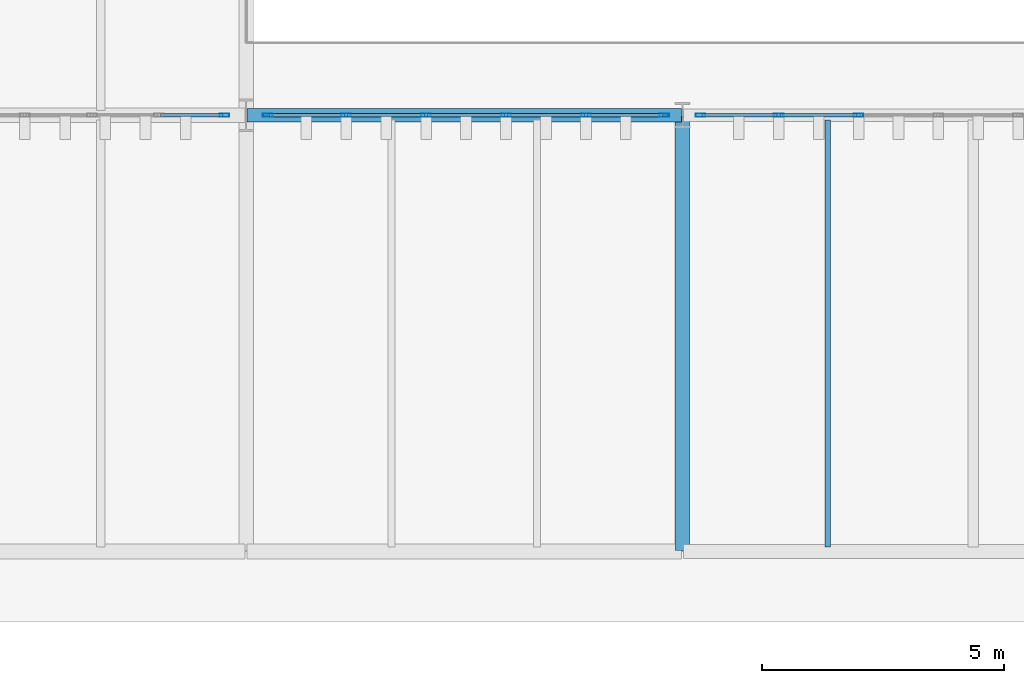
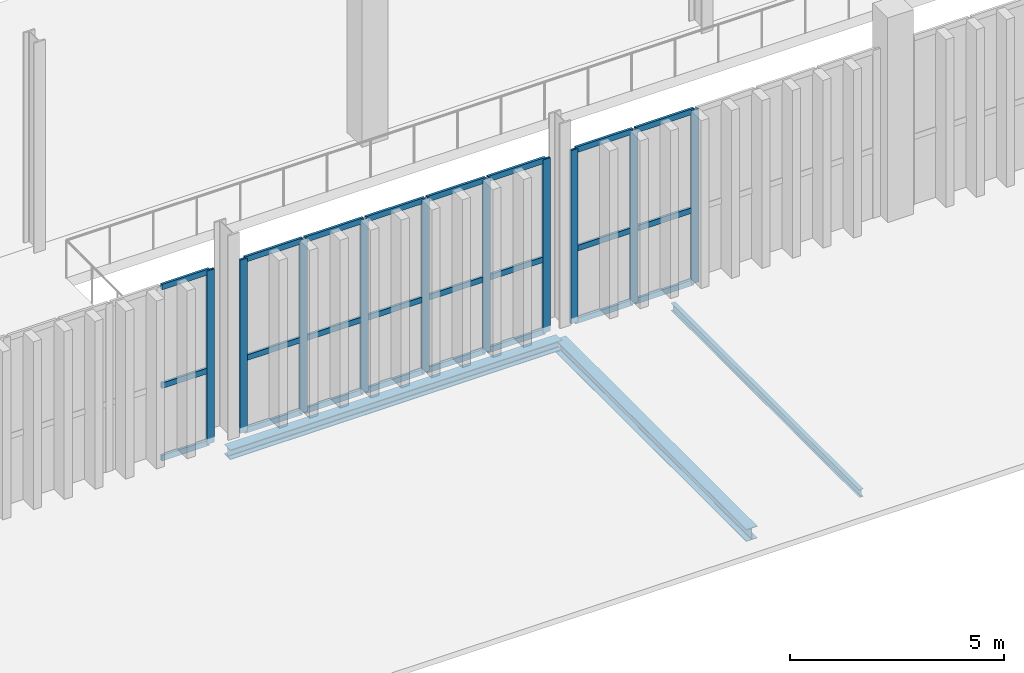
# One storey, part 64 of 211: 34 members, 3 beams, 3 elements without a shape of their own.
"""IFC4 building model written with IfcOpenShell, lengths in metres."""

from ifc_helpers import new_model, si_unit, direction, frame, origin, origin_2d, place, context, subcontext, project, spatial, hollow_rectangle, i_section, extrude, material, layer, layer_set, material_profile, profile_set, type_object, element, aggregate, save


model = new_model("IFC4")

# Units and contexts
model_context = context("Model", 3, precision=1e-05, world=origin(), true_north=direction((0.0, 1.0)))
body_context = subcontext(model_context, "Body", "Model", "MODEL_VIEW")
ifc_project = project(units=[si_unit("LENGTHUNIT", "METRE"), si_unit("AREAUNIT", "SQUARE_METRE"), si_unit("VOLUMEUNIT", "CUBIC_METRE"), si_unit("PLANEANGLEUNIT", "RADIAN"), si_unit("MASSUNIT", "GRAM", prefix="KILO")], contexts=[model_context])

# Site, building, storey
site_placement = place(None, origin())
site = spatial("IfcSite", under=ifc_project, at=site_placement, CompositionType="ELEMENT")
building_placement = place(site_placement, origin())
building = spatial("IfcBuilding", under=site, at=building_placement, Name="Barlavento Convention Centre", CompositionType="ELEMENT")
storey_placement = place(building_placement, frame((0.0, 0.0, 6.0)))
storey = spatial("IfcBuildingStorey", under=building, at=storey_placement, Name="L01", CompositionType="ELEMENT", Elevation=6.0)

# Curtain wall, member
ifc_material_1 = material(Name="Powder-coated aluminium and Low-E glass", Category="aluminium")
ifc_layer = layer(ifc_material_1, 0.195068359375)
ifc_layer_set = layer_set([ifc_layer], Name="ARC-CW-FOY-L01")
curtain_wall_type = type_object("IfcCurtainWallType", Name="ARC-CW-FOY-L01", PredefinedType="NOTDEFINED", material=ifc_layer_set)
curtain_wall_1_placement = place(storey_placement, origin())
curtain_wall_1 = element("IfcCurtainWall", 1, at=curtain_wall_1_placement, inside=storey, type_object=curtain_wall_type, Name="L01 unitised curtain wall CW03", PredefinedType="NOTDEFINED")
ifc_material_2 = material(Name="Powder-coated aluminium", Category="aluminium")
ifc_material_profile_1 = material_profile(ifc_material_2, hollow_rectangle(XDim=0.06494140625, YDim=0.199951171875, WallThickness=0.0048828125, at=origin_2d()), Name="AL-MULL 65x200x5")
ifc_profile_set_1 = profile_set([ifc_material_profile_1], Name="Powder-coated aluminium")
member_type_1 = type_object("IfcMemberType", Name="ARC-CWM-65X200", PredefinedType="MULLION", material=ifc_profile_set_1)
member_1_placement = place(storey_placement, frame((80.553466796875, 45.0, 0.0), z_axis=(0.0, 0.0, 1.0), x_axis=(0.0, 1.0, 0.0)))
member_1 = element("IfcMember", 2, at=member_1_placement, type_object=member_type_1, Name="CW03 mullion 7", PredefinedType="MULLION", context=body_context, shape_type="SweptSolid", body=[
    extrude(hollow_rectangle(XDim=0.06494140625, YDim=0.199951171875, WallThickness=0.0048828125, at=origin_2d()), origin(), (0.0, 0.0, 1.0), 4.949951171875),
])

# Curtain wall, members
curtain_wall_2_placement = place(storey_placement, origin())
curtain_wall_2 = element("IfcCurtainWall", 3, at=curtain_wall_2_placement, inside=storey, type_object=curtain_wall_type, Name="L01 unitised curtain wall CW03", PredefinedType="NOTDEFINED")
member_2_placement = place(storey_placement, frame((81.446533203125, 45.0, 0.0), z_axis=(0.0, 0.0, 1.0), x_axis=(0.0, 1.0, 0.0)))
member_2 = element("IfcMember", 4, at=member_2_placement, type_object=member_type_1, Name="CW03 mullion 1", PredefinedType="MULLION", context=body_context, shape_type="SweptSolid", body=[
    extrude(hollow_rectangle(XDim=0.06494140625, YDim=0.199951171875, WallThickness=0.0048828125, at=origin_2d()), origin(), (0.0, 0.0, 1.0), 4.949951171875),
])
member_3_placement = place(storey_placement, frame((83.062744140625, 45.0, 0.0), z_axis=(0.0, 0.0, 1.0), x_axis=(0.0, 1.0, 0.0)))
member_3 = element("IfcMember", 5, at=member_3_placement, type_object=member_type_1, Name="CW03 mullion 2", PredefinedType="MULLION", context=body_context, shape_type="SweptSolid", body=[
    extrude(hollow_rectangle(XDim=0.06494140625, YDim=0.199951171875, WallThickness=0.0048828125, at=origin_2d()), origin(), (0.0, 0.0, 1.0), 4.949951171875),
])
member_4_placement = place(storey_placement, frame((84.711669921875, 45.0, 0.0), z_axis=(0.0, 0.0, 1.0), x_axis=(0.0, 1.0, 0.0)))
member_4 = element("IfcMember", 6, at=member_4_placement, type_object=member_type_1, Name="CW03 mullion 3", PredefinedType="MULLION", context=body_context, shape_type="SweptSolid", body=[
    extrude(hollow_rectangle(XDim=0.06494140625, YDim=0.199951171875, WallThickness=0.0048828125, at=origin_2d()), origin(), (0.0, 0.0, 1.0), 4.949951171875),
])
member_5_placement = place(storey_placement, frame((86.3603515625, 45.0, 0.0), z_axis=(0.0, 0.0, 1.0), x_axis=(0.0, 1.0, 0.0)))
member_5 = element("IfcMember", 7, at=member_5_placement, type_object=member_type_1, Name="CW03 mullion 4", PredefinedType="MULLION", context=body_context, shape_type="SweptSolid", body=[
    extrude(hollow_rectangle(XDim=0.06494140625, YDim=0.199951171875, WallThickness=0.0048828125, at=origin_2d()), origin(), (0.0, 0.0, 1.0), 4.949951171875),
])
member_6_placement = place(storey_placement, frame((88.00927734375, 45.0, 0.0), z_axis=(0.0, 0.0, 1.0), x_axis=(0.0, 1.0, 0.0)))
member_6 = element("IfcMember", 8, at=member_6_placement, type_object=member_type_1, Name="CW03 mullion 5", PredefinedType="MULLION", context=body_context, shape_type="SweptSolid", body=[
    extrude(hollow_rectangle(XDim=0.06494140625, YDim=0.199951171875, WallThickness=0.0048828125, at=origin_2d()), origin(), (0.0, 0.0, 1.0), 4.949951171875),
])
member_7_placement = place(storey_placement, frame((89.62548828125, 45.0, 0.0), z_axis=(0.0, 0.0, 1.0), x_axis=(0.0, 1.0, 0.0)))
member_7 = element("IfcMember", 9, at=member_7_placement, type_object=member_type_1, Name="CW03 mullion 6", PredefinedType="MULLION", context=body_context, shape_type="SweptSolid", body=[
    extrude(hollow_rectangle(XDim=0.06494140625, YDim=0.199951171875, WallThickness=0.0048828125, at=origin_2d()), origin(), (0.0, 0.0, 1.0), 4.949951171875),
])

curtain_wall_3_placement = place(storey_placement, origin())
curtain_wall_3 = element("IfcCurtainWall", 10, at=curtain_wall_3_placement, inside=storey, type_object=curtain_wall_type, Name="L01 unitised curtain wall CW03", PredefinedType="NOTDEFINED")
member_8_placement = place(storey_placement, frame((90.37451171875, 45.0, 0.0), z_axis=(0.0, 0.0, 1.0), x_axis=(0.0, 1.0, 0.0)))
member_8 = element("IfcMember", 11, at=member_8_placement, type_object=member_type_1, Name="CW03 mullion 1", PredefinedType="MULLION", context=body_context, shape_type="SweptSolid", body=[
    extrude(hollow_rectangle(XDim=0.06494140625, YDim=0.199951171875, WallThickness=0.0048828125, at=origin_2d()), origin(), (0.0, 0.0, 1.0), 4.949951171875),
])
member_9_placement = place(storey_placement, frame((91.987548828125, 45.0, 0.0), z_axis=(0.0, 0.0, 1.0), x_axis=(0.0, 1.0, 0.0)))
member_9 = element("IfcMember", 12, at=member_9_placement, type_object=member_type_1, Name="CW03 mullion 2", PredefinedType="MULLION", context=body_context, shape_type="SweptSolid", body=[
    extrude(hollow_rectangle(XDim=0.06494140625, YDim=0.199951171875, WallThickness=0.0048828125, at=origin_2d()), origin(), (0.0, 0.0, 1.0), 4.949951171875),
])
member_10_placement = place(storey_placement, frame((93.63330078125, 45.0, 0.0), z_axis=(0.0, 0.0, 1.0), x_axis=(0.0, 1.0, 0.0)))
member_10 = element("IfcMember", 13, at=member_10_placement, type_object=member_type_1, Name="CW03 mullion 3", PredefinedType="MULLION", context=body_context, shape_type="SweptSolid", body=[
    extrude(hollow_rectangle(XDim=0.06494140625, YDim=0.199951171875, WallThickness=0.0048828125, at=origin_2d()), origin(), (0.0, 0.0, 1.0), 4.949951171875),
])

# Member
ifc_material_profile_2 = material_profile(ifc_material_2, hollow_rectangle(XDim=0.06494140625, YDim=0.159912109375, WallThickness=0.0048828125, at=origin_2d()), Name="AL-TRAN 65x160x5")
ifc_profile_set_2 = profile_set([ifc_material_profile_2], Name="Powder-coated aluminium")
member_type_2 = type_object("IfcMemberType", Name="ARC-CWT-65X160", PredefinedType="USERDEFINED", material=ifc_profile_set_2)
member_11_placement = place(storey_placement, frame((79.234619140625, 45.0, 0.032470703125), z_axis=(1.0, 0.0, 0.0), x_axis=(0.0, 1.0, 0.0)))
member_11 = element("IfcMember", 14, at=member_11_placement, type_object=member_type_2, Name="CW03 transom 6.1", ObjectType="TRANSOM", PredefinedType="USERDEFINED", context=body_context, shape_type="SweptSolid", body=[
    extrude(hollow_rectangle(XDim=0.06494140625, YDim=0.159912109375, WallThickness=0.0048828125, at=origin_2d()), origin(), (0.0, 0.0, 1.0), 1.286376953125),
])

member_12_placement = place(storey_placement, frame((79.234619140625, 45.0, 2.10009765625), z_axis=(1.0, 0.0, 0.0), x_axis=(0.0, 1.0, 0.0)))
member_12 = element("IfcMember", 15, at=member_12_placement, type_object=member_type_2, Name="CW03 transom 6.2", ObjectType="TRANSOM", PredefinedType="USERDEFINED", context=body_context, shape_type="SweptSolid", body=[
    extrude(hollow_rectangle(XDim=0.06494140625, YDim=0.159912109375, WallThickness=0.0048828125, at=origin_2d()), origin(), (0.0, 0.0, 1.0), 1.286376953125),
])

member_13_placement = place(storey_placement, frame((79.234619140625, 45.0, 4.91748046875), z_axis=(1.0, 0.0, 0.0), x_axis=(0.0, 1.0, 0.0)))
member_13 = element("IfcMember", 16, at=member_13_placement, type_object=member_type_2, Name="CW03 transom 6.3", ObjectType="TRANSOM", PredefinedType="USERDEFINED", context=body_context, shape_type="SweptSolid", body=[
    extrude(hollow_rectangle(XDim=0.06494140625, YDim=0.159912109375, WallThickness=0.0048828125, at=origin_2d()), origin(), (0.0, 0.0, 1.0), 1.286376953125),
])

aggregate(curtain_wall_1, [member_1, member_11, member_12, member_13])

member_14_placement = place(storey_placement, frame((81.47900390625, 45.0, 0.032470703125), z_axis=(1.0, 0.0, 0.0), x_axis=(0.0, 1.0, 0.0)))
member_14 = element("IfcMember", 17, at=member_14_placement, type_object=member_type_2, Name="CW03 transom 1.1", ObjectType="TRANSOM", PredefinedType="USERDEFINED", context=body_context, shape_type="SweptSolid", body=[
    extrude(hollow_rectangle(XDim=0.06494140625, YDim=0.159912109375, WallThickness=0.0048828125, at=origin_2d()), origin(), (0.0, 0.0, 1.0), 1.55126953125),
])

member_15_placement = place(storey_placement, frame((81.47900390625, 45.0, 2.10009765625), z_axis=(1.0, 0.0, 0.0), x_axis=(0.0, 1.0, 0.0)))
member_15 = element("IfcMember", 18, at=member_15_placement, type_object=member_type_2, Name="CW03 transom 1.2", ObjectType="TRANSOM", PredefinedType="USERDEFINED", context=body_context, shape_type="SweptSolid", body=[
    extrude(hollow_rectangle(XDim=0.06494140625, YDim=0.159912109375, WallThickness=0.0048828125, at=origin_2d()), origin(), (0.0, 0.0, 1.0), 1.55126953125),
])

member_16_placement = place(storey_placement, frame((81.47900390625, 45.0, 4.91748046875), z_axis=(1.0, 0.0, 0.0), x_axis=(0.0, 1.0, 0.0)))
member_16 = element("IfcMember", 19, at=member_16_placement, type_object=member_type_2, Name="CW03 transom 1.3", ObjectType="TRANSOM", PredefinedType="USERDEFINED", context=body_context, shape_type="SweptSolid", body=[
    extrude(hollow_rectangle(XDim=0.06494140625, YDim=0.159912109375, WallThickness=0.0048828125, at=origin_2d()), origin(), (0.0, 0.0, 1.0), 1.55126953125),
])

member_17_placement = place(storey_placement, frame((83.09521484375, 45.0, 0.032470703125), z_axis=(1.0, 0.0, 0.0), x_axis=(0.0, 1.0, 0.0)))
member_17 = element("IfcMember", 20, at=member_17_placement, type_object=member_type_2, Name="CW03 transom 2.1", ObjectType="TRANSOM", PredefinedType="USERDEFINED", context=body_context, shape_type="SweptSolid", body=[
    extrude(hollow_rectangle(XDim=0.06494140625, YDim=0.159912109375, WallThickness=0.0048828125, at=origin_2d()), origin(), (0.0, 0.0, 1.0), 1.583984375),
])

member_18_placement = place(storey_placement, frame((83.09521484375, 45.0, 2.10009765625), z_axis=(1.0, 0.0, 0.0), x_axis=(0.0, 1.0, 0.0)))
member_18 = element("IfcMember", 21, at=member_18_placement, type_object=member_type_2, Name="CW03 transom 2.2", ObjectType="TRANSOM", PredefinedType="USERDEFINED", context=body_context, shape_type="SweptSolid", body=[
    extrude(hollow_rectangle(XDim=0.06494140625, YDim=0.159912109375, WallThickness=0.0048828125, at=origin_2d()), origin(), (0.0, 0.0, 1.0), 1.583984375),
])

member_19_placement = place(storey_placement, frame((83.09521484375, 45.0, 4.91748046875), z_axis=(1.0, 0.0, 0.0), x_axis=(0.0, 1.0, 0.0)))
member_19 = element("IfcMember", 22, at=member_19_placement, type_object=member_type_2, Name="CW03 transom 2.3", ObjectType="TRANSOM", PredefinedType="USERDEFINED", context=body_context, shape_type="SweptSolid", body=[
    extrude(hollow_rectangle(XDim=0.06494140625, YDim=0.159912109375, WallThickness=0.0048828125, at=origin_2d()), origin(), (0.0, 0.0, 1.0), 1.583984375),
])

member_20_placement = place(storey_placement, frame((84.744140625, 45.0, 0.032470703125), z_axis=(1.0, 0.0, 0.0), x_axis=(0.0, 1.0, 0.0)))
member_20 = element("IfcMember", 23, at=member_20_placement, type_object=member_type_2, Name="CW03 transom 3.1", ObjectType="TRANSOM", PredefinedType="USERDEFINED", context=body_context, shape_type="SweptSolid", body=[
    extrude(hollow_rectangle(XDim=0.06494140625, YDim=0.159912109375, WallThickness=0.0048828125, at=origin_2d()), origin(), (0.0, 0.0, 1.0), 1.583740234375),
])

member_21_placement = place(storey_placement, frame((84.744140625, 45.0, 2.10009765625), z_axis=(1.0, 0.0, 0.0), x_axis=(0.0, 1.0, 0.0)))
member_21 = element("IfcMember", 24, at=member_21_placement, type_object=member_type_2, Name="CW03 transom 3.2", ObjectType="TRANSOM", PredefinedType="USERDEFINED", context=body_context, shape_type="SweptSolid", body=[
    extrude(hollow_rectangle(XDim=0.06494140625, YDim=0.159912109375, WallThickness=0.0048828125, at=origin_2d()), origin(), (0.0, 0.0, 1.0), 1.583740234375),
])

member_22_placement = place(storey_placement, frame((84.744140625, 45.0, 4.91748046875), z_axis=(1.0, 0.0, 0.0), x_axis=(0.0, 1.0, 0.0)))
member_22 = element("IfcMember", 25, at=member_22_placement, type_object=member_type_2, Name="CW03 transom 3.3", ObjectType="TRANSOM", PredefinedType="USERDEFINED", context=body_context, shape_type="SweptSolid", body=[
    extrude(hollow_rectangle(XDim=0.06494140625, YDim=0.159912109375, WallThickness=0.0048828125, at=origin_2d()), origin(), (0.0, 0.0, 1.0), 1.583740234375),
])

member_23_placement = place(storey_placement, frame((86.392822265625, 45.0, 0.032470703125), z_axis=(1.0, 0.0, 0.0), x_axis=(0.0, 1.0, 0.0)))
member_23 = element("IfcMember", 26, at=member_23_placement, type_object=member_type_2, Name="CW03 transom 4.1", ObjectType="TRANSOM", PredefinedType="USERDEFINED", context=body_context, shape_type="SweptSolid", body=[
    extrude(hollow_rectangle(XDim=0.06494140625, YDim=0.159912109375, WallThickness=0.0048828125, at=origin_2d()), origin(), (0.0, 0.0, 1.0), 1.583984375),
])

member_24_placement = place(storey_placement, frame((86.392822265625, 45.0, 2.10009765625), z_axis=(1.0, 0.0, 0.0), x_axis=(0.0, 1.0, 0.0)))
member_24 = element("IfcMember", 27, at=member_24_placement, type_object=member_type_2, Name="CW03 transom 4.2", ObjectType="TRANSOM", PredefinedType="USERDEFINED", context=body_context, shape_type="SweptSolid", body=[
    extrude(hollow_rectangle(XDim=0.06494140625, YDim=0.159912109375, WallThickness=0.0048828125, at=origin_2d()), origin(), (0.0, 0.0, 1.0), 1.583984375),
])

member_25_placement = place(storey_placement, frame((86.392822265625, 45.0, 4.91748046875), z_axis=(1.0, 0.0, 0.0), x_axis=(0.0, 1.0, 0.0)))
member_25 = element("IfcMember", 28, at=member_25_placement, type_object=member_type_2, Name="CW03 transom 4.3", ObjectType="TRANSOM", PredefinedType="USERDEFINED", context=body_context, shape_type="SweptSolid", body=[
    extrude(hollow_rectangle(XDim=0.06494140625, YDim=0.159912109375, WallThickness=0.0048828125, at=origin_2d()), origin(), (0.0, 0.0, 1.0), 1.583984375),
])

member_26_placement = place(storey_placement, frame((88.041748046875, 45.0, 0.032470703125), z_axis=(1.0, 0.0, 0.0), x_axis=(0.0, 1.0, 0.0)))
member_26 = element("IfcMember", 29, at=member_26_placement, type_object=member_type_2, Name="CW03 transom 5.1", ObjectType="TRANSOM", PredefinedType="USERDEFINED", context=body_context, shape_type="SweptSolid", body=[
    extrude(hollow_rectangle(XDim=0.06494140625, YDim=0.159912109375, WallThickness=0.0048828125, at=origin_2d()), origin(), (0.0, 0.0, 1.0), 1.55126953125),
])

member_27_placement = place(storey_placement, frame((88.041748046875, 45.0, 2.10009765625), z_axis=(1.0, 0.0, 0.0), x_axis=(0.0, 1.0, 0.0)))
member_27 = element("IfcMember", 30, at=member_27_placement, type_object=member_type_2, Name="CW03 transom 5.2", ObjectType="TRANSOM", PredefinedType="USERDEFINED", context=body_context, shape_type="SweptSolid", body=[
    extrude(hollow_rectangle(XDim=0.06494140625, YDim=0.159912109375, WallThickness=0.0048828125, at=origin_2d()), origin(), (0.0, 0.0, 1.0), 1.55126953125),
])

member_28_placement = place(storey_placement, frame((88.041748046875, 45.0, 4.91748046875), z_axis=(1.0, 0.0, 0.0), x_axis=(0.0, 1.0, 0.0)))
member_28 = element("IfcMember", 31, at=member_28_placement, type_object=member_type_2, Name="CW03 transom 5.3", ObjectType="TRANSOM", PredefinedType="USERDEFINED", context=body_context, shape_type="SweptSolid", body=[
    extrude(hollow_rectangle(XDim=0.06494140625, YDim=0.159912109375, WallThickness=0.0048828125, at=origin_2d()), origin(), (0.0, 0.0, 1.0), 1.55126953125),
])

aggregate(curtain_wall_2, [member_2, member_3, member_4, member_5, member_6, member_7, member_14, member_15, member_16, member_17, member_18, member_19, member_20, member_21, member_22, member_23, member_24, member_25, member_26, member_27, member_28])

member_29_placement = place(storey_placement, frame((90.406982421875, 45.0, 0.032470703125), z_axis=(1.0, 0.0, 0.0), x_axis=(0.0, 1.0, 0.0)))
member_29 = element("IfcMember", 32, at=member_29_placement, type_object=member_type_2, Name="CW03 transom 1.1", ObjectType="TRANSOM", PredefinedType="USERDEFINED", context=body_context, shape_type="SweptSolid", body=[
    extrude(hollow_rectangle(XDim=0.06494140625, YDim=0.159912109375, WallThickness=0.0048828125, at=origin_2d()), origin(), (0.0, 0.0, 1.0), 1.548095703125),
])

member_30_placement = place(storey_placement, frame((90.406982421875, 45.0, 2.10009765625), z_axis=(1.0, 0.0, 0.0), x_axis=(0.0, 1.0, 0.0)))
member_30 = element("IfcMember", 33, at=member_30_placement, type_object=member_type_2, Name="CW03 transom 1.2", ObjectType="TRANSOM", PredefinedType="USERDEFINED", context=body_context, shape_type="SweptSolid", body=[
    extrude(hollow_rectangle(XDim=0.06494140625, YDim=0.159912109375, WallThickness=0.0048828125, at=origin_2d()), origin(), (0.0, 0.0, 1.0), 1.548095703125),
])

member_31_placement = place(storey_placement, frame((90.406982421875, 45.0, 4.91748046875), z_axis=(1.0, 0.0, 0.0), x_axis=(0.0, 1.0, 0.0)))
member_31 = element("IfcMember", 34, at=member_31_placement, type_object=member_type_2, Name="CW03 transom 1.3", ObjectType="TRANSOM", PredefinedType="USERDEFINED", context=body_context, shape_type="SweptSolid", body=[
    extrude(hollow_rectangle(XDim=0.06494140625, YDim=0.159912109375, WallThickness=0.0048828125, at=origin_2d()), origin(), (0.0, 0.0, 1.0), 1.548095703125),
])

member_32_placement = place(storey_placement, frame((92.02001953125, 45.0, 0.032470703125), z_axis=(1.0, 0.0, 0.0), x_axis=(0.0, 1.0, 0.0)))
member_32 = element("IfcMember", 35, at=member_32_placement, type_object=member_type_2, Name="CW03 transom 2.1", ObjectType="TRANSOM", PredefinedType="USERDEFINED", context=body_context, shape_type="SweptSolid", body=[
    extrude(hollow_rectangle(XDim=0.06494140625, YDim=0.159912109375, WallThickness=0.0048828125, at=origin_2d()), origin(), (0.0, 0.0, 1.0), 1.58056640625),
])

member_33_placement = place(storey_placement, frame((92.02001953125, 45.0, 2.10009765625), z_axis=(1.0, 0.0, 0.0), x_axis=(0.0, 1.0, 0.0)))
member_33 = element("IfcMember", 36, at=member_33_placement, type_object=member_type_2, Name="CW03 transom 2.2", ObjectType="TRANSOM", PredefinedType="USERDEFINED", context=body_context, shape_type="SweptSolid", body=[
    extrude(hollow_rectangle(XDim=0.06494140625, YDim=0.159912109375, WallThickness=0.0048828125, at=origin_2d()), origin(), (0.0, 0.0, 1.0), 1.58056640625),
])

member_34_placement = place(storey_placement, frame((92.02001953125, 45.0, 4.91748046875), z_axis=(1.0, 0.0, 0.0), x_axis=(0.0, 1.0, 0.0)))
member_34 = element("IfcMember", 37, at=member_34_placement, type_object=member_type_2, Name="CW03 transom 2.3", ObjectType="TRANSOM", PredefinedType="USERDEFINED", context=body_context, shape_type="SweptSolid", body=[
    extrude(hollow_rectangle(XDim=0.06494140625, YDim=0.159912109375, WallThickness=0.0048828125, at=origin_2d()), origin(), (0.0, 0.0, 1.0), 1.58056640625),
])

aggregate(curtain_wall_3, [member_8, member_9, member_10, member_29, member_30, member_31, member_32, member_33, member_34])

# Beams
ifc_material_3 = material(Name="Steel S355", Category="steel")
ifc_material_profile_3 = material_profile(ifc_material_3, i_section(OverallWidth=0.110107421875, OverallDepth=0.219970703125, WebThickness=0.005859375, FlangeThickness=0.00927734375, FilletRadius=0.011962890625, at=origin_2d()), Name="IPE 220")
ifc_profile_set_3 = profile_set([ifc_material_profile_3], Name="Steel S355")
beam_type_1 = type_object("IfcBeamType", Name="STR-BM-JST-IPE220", PredefinedType="JOIST", material=ifc_profile_set_3)
beam_1_placement = place(storey_placement, frame((93.0, 36.094970703125, -0.39990234375), z_axis=(0.0, 1.0, 0.0), x_axis=(-1.0, 0.0, 0.0)))
element("IfcBeam", 38, at=beam_1_placement, inside=storey, type_object=beam_type_1, Name="L01 composite floor joist SJ10", PredefinedType="JOIST", context=body_context, shape_type="SweptSolid", body=[
    extrude(i_section(OverallWidth=0.110107421875, OverallDepth=0.219970703125, WebThickness=0.005859375, FlangeThickness=0.00927734375, FilletRadius=0.011962890625, at=origin_2d()), origin(), (0.0, 0.0, 1.0), 8.81005859375),
])
ifc_material_profile_4 = material_profile(ifc_material_3, i_section(OverallWidth=0.300048828125, OverallDepth=0.35009765625, WebThickness=0.010009765625, FlangeThickness=0.017578125, FilletRadius=0.027099609375, at=origin_2d()), Name="HEA 360")
ifc_profile_set_4 = profile_set([ifc_material_profile_4], Name="Steel S355")
beam_type_2 = type_object("IfcBeamType", Name="STR-BM-PRI-HEA360", PredefinedType="BEAM", material=ifc_profile_set_4)
beam_2_placement = place(storey_placement, frame((90.0, 36.02001953125, -0.465087890625), z_axis=(0.0, 1.0, 0.0), x_axis=(-1.0, 0.0, 0.0)))
element("IfcBeam", 39, at=beam_2_placement, inside=storey, type_object=beam_type_2, Name="L01 grid girder BG23", PredefinedType="BEAM", context=body_context, shape_type="SweptSolid", body=[
    extrude(i_section(OverallWidth=0.300048828125, OverallDepth=0.35009765625, WebThickness=0.010009765625, FlangeThickness=0.017578125, FilletRadius=0.027099609375, at=origin_2d()), origin(), (0.0, 0.0, 1.0), 8.9599609375),
])
ifc_material_profile_5 = material_profile(ifc_material_3, i_section(OverallWidth=0.280029296875, OverallDepth=0.280029296875, WebThickness=0.010498046875, FlangeThickness=0.01806640625, FilletRadius=0.02392578125, at=origin_2d()), Name="HEB 280")
ifc_profile_set_5 = profile_set([ifc_material_profile_5], Name="Steel S355")
beam_type_3 = type_object("IfcBeamType", Name="STR-BM-PRI-HEB280", PredefinedType="BEAM", material=ifc_profile_set_5)
beam_3_placement = place(storey_placement, frame((81.02001953125, 45.0, -0.429931640625), z_axis=(1.0, 0.0, 0.0), x_axis=(0.0, 1.0, 0.0)))
element("IfcBeam", 40, at=beam_3_placement, inside=storey, type_object=beam_type_3, Name="L01 primary girder BG15", PredefinedType="BEAM", context=body_context, shape_type="SweptSolid", body=[
    extrude(i_section(OverallWidth=0.280029296875, OverallDepth=0.280029296875, WebThickness=0.010498046875, FlangeThickness=0.01806640625, FilletRadius=0.02392578125, at=origin_2d()), origin(), (0.0, 0.0, 1.0), 8.9599609375),
])

save(model, "model.ifc")
